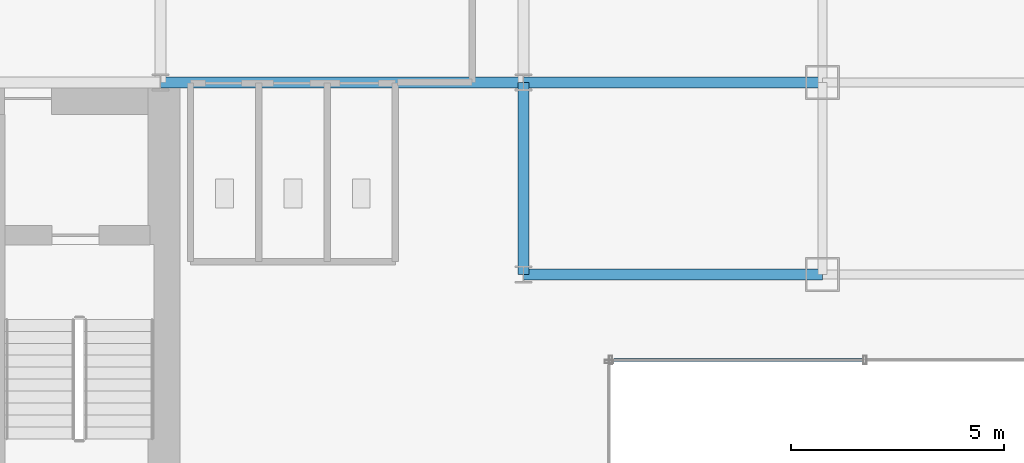
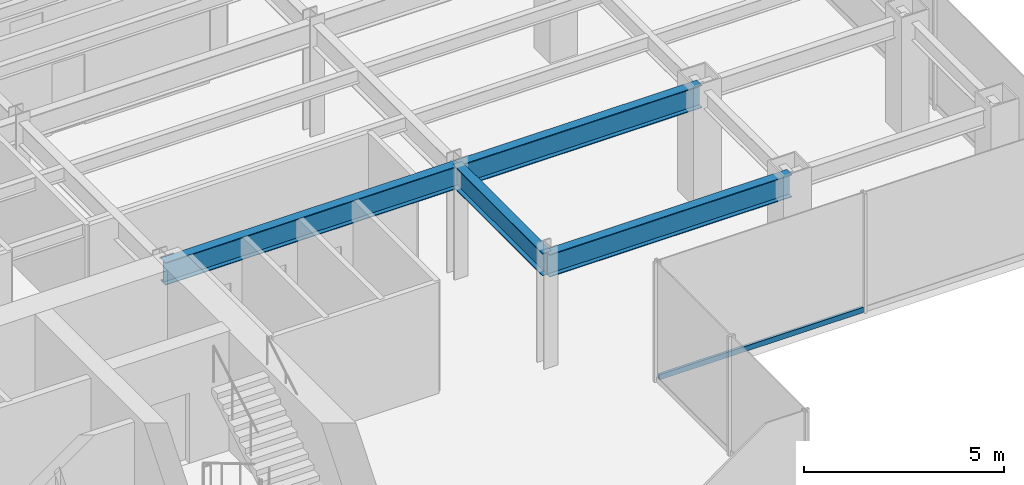
# One storey, part 9 of 26: 4 beams, 1 member, 1 element without a shape of its own.
"""IFC4 building model written with IfcOpenShell, lengths in metres."""

from ifc_helpers import new_model, si_unit, derived_unit, direction, frame, origin, origin_2d, place, context, subcontext, project, spatial, hollow_rectangle, i_section, extrude, source, transform, mapped, material, material_profile, profile_set, type_object, element, aggregate, save


model = new_model("IFC4")

# Units and contexts
model_context = context("Model", 3, precision=1e-05, world=origin(), true_north=direction((0.0, 1.0)))
body_context = subcontext(model_context, "Body", "Model", "MODEL_VIEW")
ifc_project = project(units=[si_unit("LENGTHUNIT", "METRE"), si_unit("AREAUNIT", "SQUARE_METRE"), si_unit("VOLUMEUNIT", "CUBIC_METRE"), si_unit("PLANEANGLEUNIT", "RADIAN"), si_unit("MASSUNIT", "GRAM", prefix="KILO"), derived_unit("THERMALTRANSMITTANCEUNIT", [(si_unit("POWERUNIT", "WATT"), 1), (si_unit("LENGTHUNIT", "METRE"), -2), (si_unit("THERMODYNAMICTEMPERATUREUNIT", "KELVIN"), -1)])], contexts=[model_context])

# Site, building, storey
site_placement = place(None, origin())
site = spatial("IfcSite", under=ifc_project, at=site_placement, CompositionType="ELEMENT")
building_placement = place(site_placement, origin())
building = spatial("IfcBuilding", under=site, at=building_placement, Name="Skarnbrae Concourse Arena and Tower", CompositionType="ELEMENT")
storey_placement = place(building_placement, frame((0.0, 0.0, 117.85009765625)))
storey = spatial("IfcBuildingStorey", under=building, at=storey_placement, Name="L29", CompositionType="ELEMENT", Elevation=117.85009765625)

# Beams
ifc_material_1 = material(Name="Steel CSA G40.21 350W", Category="steel")
ifc_material_profile_1 = material_profile(ifc_material_1, i_section(OverallWidth=0.256103515625, OverallDepth=0.693115234375, WebThickness=0.014404296875, FlangeThickness=0.023681640625, at=origin_2d()), Name="W690X170")
ifc_profile_set_1 = profile_set([ifc_material_profile_1], Name="Steel CSA G40.21 350W")
beam_type = type_object("IfcBeamType", Name="BM-GIRD-W690X170", PredefinedType="BEAM", material=ifc_profile_set_1)
shared_shape_1 = source(origin(), body_context, "Body", "SweptSolid", [
    extrude(i_section(OverallWidth=0.256103515625, OverallDepth=0.693115234375, WebThickness=0.014404296875, FlangeThickness=0.023681640625, at=origin_2d()), origin(), (0.0, 0.0, 1.0), 7.0),
])
for number, where, z_axis, x_axis, name in (
    (1, (42.0, 9.5, 3.053466796875), (1.0, 0.0, 0.0), (0.0, 1.0, 0.0), "L29 Primary E-W girder Y9.5-2"),
    (2, (42.0, 14.0, 3.053466796875), (1.0, 0.0, 0.0), (0.0, 1.0, 0.0), "L29 Primary E-W girder Y14.0-7"),
):
    element("IfcBeam", number, at=place(storey_placement, frame(where, z_axis=z_axis, x_axis=x_axis)), inside=storey, type_object=beam_type, Name=name, PredefinedType="BEAM", context=body_context, shape_type="MappedRepresentation", body=[
        mapped(shared_shape_1, transform((0.0, 0.0, 0.0))),
    ])
shared_shape_2 = source(origin(), body_context, "Body", "SweptSolid", [
    extrude(i_section(OverallWidth=0.256103515625, OverallDepth=0.693115234375, WebThickness=0.014404296875, FlangeThickness=0.023681640625, at=origin_2d()), origin(), (0.0, 0.0, 1.0), 8.5),
])
beam_1_placement = place(storey_placement, frame((33.5, 14.0, 3.053466796875), z_axis=(1.0, 0.0, 0.0), x_axis=(0.0, 1.0, 0.0)))
element("IfcBeam", 3, at=beam_1_placement, inside=storey, type_object=beam_type, Name="L29 Primary E-W girder Y14.0-6", PredefinedType="BEAM", context=body_context, shape_type="MappedRepresentation", body=[
    mapped(shared_shape_2, transform((0.0, 0.0, 0.0))),
])
shared_shape_3 = source(origin(), body_context, "Body", "SweptSolid", [
    extrude(i_section(OverallWidth=0.256103515625, OverallDepth=0.693115234375, WebThickness=0.014404296875, FlangeThickness=0.023681640625, at=origin_2d()), origin(), (0.0, 0.0, 1.0), 4.5),
])
beam_2_placement = place(storey_placement, frame((42.0, 9.5, 3.053466796875), z_axis=(0.0, 1.0, 0.0), x_axis=(-1.0, 0.0, 0.0)))
element("IfcBeam", 4, at=beam_2_placement, inside=storey, type_object=beam_type, Name="L29 Primary N-S girder X42.0-1", PredefinedType="BEAM", context=body_context, shape_type="MappedRepresentation", body=[
    mapped(shared_shape_3, transform((0.0, 0.0, 0.0))),
])

# Curtain wall, member
ifc_material_2 = material(Name="Bronze anodised aluminium 6063-T6", Category="aluminium")
curtain_wall_type = type_object("IfcCurtainWallType", Name="CW-SYS-04-MIDZONE", PredefinedType="USERDEFINED", material=ifc_material_2)
curtain_wall_placement = place(storey_placement, origin())
curtain_wall = element("IfcCurtainWall", 5, at=curtain_wall_placement, inside=storey, type_object=curtain_wall_type, Name="L29 Unitised curtain wall CW-L29-E03", ObjectType="UNITISED CURTAIN WALL", PredefinedType="USERDEFINED")
ifc_material_profile_2 = material_profile(ifc_material_2, hollow_rectangle(XDim=0.074951171875, YDim=0.159912109375, WallThickness=0.00439453125, at=origin_2d()), Name="ALU-TRAN-75X160")
ifc_profile_set_2 = profile_set([ifc_material_profile_2], Name="Bronze anodised aluminium 6063-T6")
member_type = type_object("IfcMemberType", Name="CWT-CW-04", PredefinedType="USERDEFINED", material=ifc_profile_set_2)
shared_shape_4 = source(origin(), body_context, "Body", "SweptSolid", [
    extrude(hollow_rectangle(XDim=0.074951171875, YDim=0.159912109375, WallThickness=0.00439453125, at=origin_2d()), origin(), (0.0, 0.0, 1.0), 5.887451171875),
])
member_placement = place(storey_placement, frame((44.074951171875, 7.5, 0.079833984375), z_axis=(1.0, 0.0, 0.0), x_axis=(0.0, 1.0, 0.0)))
member = element("IfcMember", 6, at=member_placement, type_object=member_type, Name="CW-L29-E03 Transom 1", ObjectType="TRANSOM", PredefinedType="USERDEFINED", context=body_context, shape_type="MappedRepresentation", body=[
    mapped(shared_shape_4, transform((0.0, 0.0, 0.0))),
])
aggregate(curtain_wall, [member])

save(model, "model.ifc")
